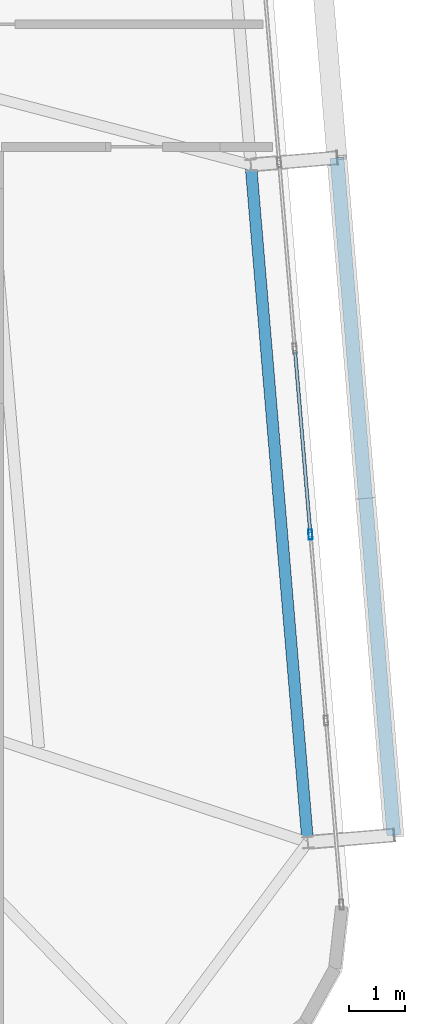
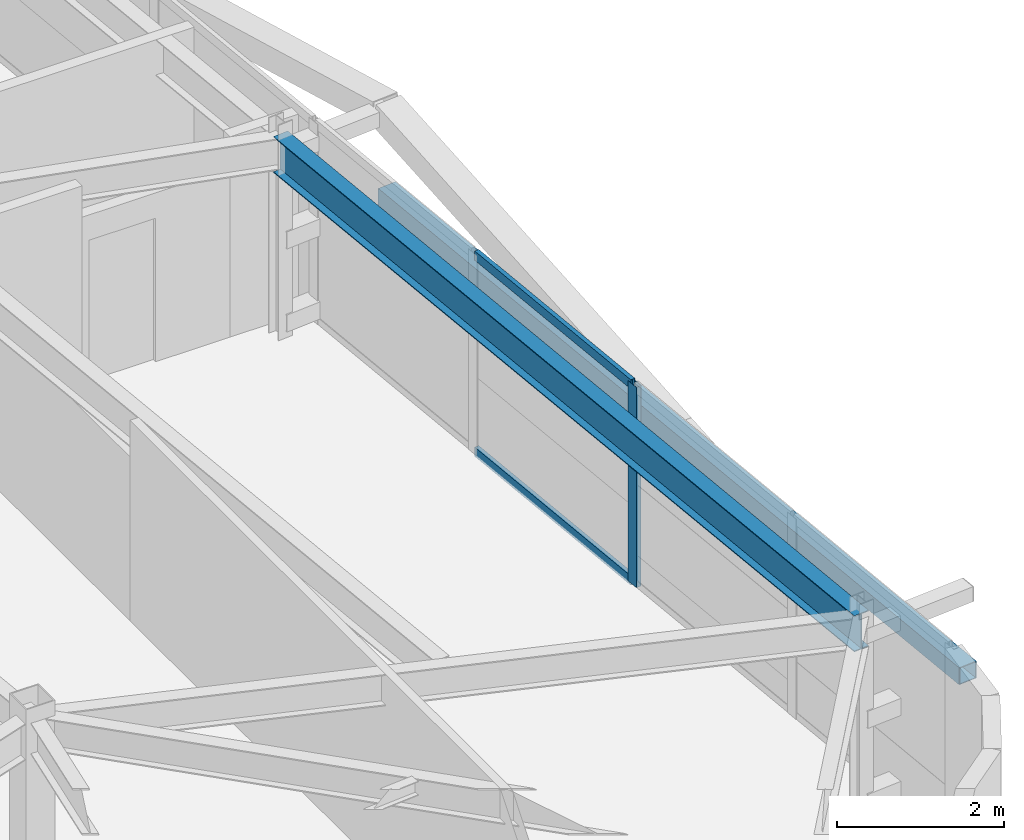
# One storey, part 23 of 46: 4 members, 1 beam, 1 element without a shape of its own.
"""IFC4 building model written with IfcOpenShell, lengths in metres."""

import ifcopenshell
import ifcopenshell.guid

model = None  # the IFC model being written
_history = None  # IfcOwnerHistory: only IFC2X3 demands one
_inside = {}  # id of a spatial element -> (the spatial element, [elements in it])
_under = {}  # id of a project, library or spatial element -> (it, [spatial elements below it])
_declared = {}  # id of a project -> (the project, [libraries it declares])
_typed = {}  # id of a type object -> (the type object, [elements of that type])
_made_of = {}  # id of a material, layer set ... -> (it, [elements and type objects made of it])


def new_model(schema):
    """Start an empty IFC model of exactly this schema.

    Asked for "IFC4X3", IfcOpenShell would pick the latest addendum, in which some entities
    have other attributes; the version numbers below select the first issue.
    IFC2X3 requires an IfcOwnerHistory on every rooted entity: one is made here for all.
    """
    global model, _history
    if schema == "IFC4X3":
        model = ifcopenshell.file(schema_version=(4, 3, 0, 0))
    else:
        model = ifcopenshell.file(schema=schema)
    _inside.clear()
    _under.clear()
    _declared.clear()
    _typed.clear()
    _made_of.clear()
    _history = None
    if model.schema == "IFC2X3":
        org = make("IfcOrganization", Name="unknown")
        user = make(
            "IfcPersonAndOrganization",
            ThePerson=make("IfcPerson", FamilyName="unknown"),
            TheOrganization=org,
        )
        app = make(
            "IfcApplication",
            ApplicationDeveloper=org,
            Version="unknown",
            ApplicationFullName="unknown",
            ApplicationIdentifier="unknown",
        )
        _history = make(
            "IfcOwnerHistory",
            OwningUser=user,
            OwningApplication=app,
            ChangeAction="ADDED",
            CreationDate=0,
        )
    return model


def make(cls, **values):
    """One entity of the class cls with the attributes given. An attribute that is None is left unset."""
    return model.create_entity(
        cls, **{name: value for name, value in values.items() if value is not None}
    )


def rooted(cls, **values):
    """An entity with a GlobalId (a new one), such as an element, a storey or a relation."""
    return make(cls, GlobalId=ifcopenshell.guid.new(), OwnerHistory=_history, **values)


def si_unit(unit_type, name, prefix=None):
    """IfcSIUnit, for example si_unit("LENGTHUNIT", "METRE", prefix="MILLI")."""
    return make("IfcSIUnit", UnitType=unit_type, Prefix=prefix, Name=name)


def assignment(units):
    """IfcUnitAssignment: the units of a project."""
    return None if units is None else make("IfcUnitAssignment", Units=units)


def point(xyz):
    """IfcCartesianPoint."""
    return None if xyz is None else make("IfcCartesianPoint", Coordinates=xyz)


def direction(xyz):
    """IfcDirection."""
    return None if xyz is None else make("IfcDirection", DirectionRatios=xyz)


def frame(location, z_axis=None, x_axis=None):
    """IfcAxis2Placement3D, a coordinate frame: its origin and axes. An axis left out is left unset."""
    return make(
        "IfcAxis2Placement3D",
        Location=point(location),
        Axis=direction(z_axis),
        RefDirection=direction(x_axis),
    )


def frame_2d(location, x_axis=None):
    """IfcAxis2Placement2D, a coordinate frame in the plane: its origin and x axis."""
    return make(
        "IfcAxis2Placement2D", Location=point(location), RefDirection=direction(x_axis)
    )


def origin():
    """The frame at (0, 0, 0) with its axes left unset."""
    return frame((0.0, 0.0, 0.0))


def origin_2d():
    """The frame at (0, 0) in the plane with its x axis left unset."""
    return frame_2d((0.0, 0.0))


def place(relative_to, where):
    """IfcLocalPlacement: puts the frame where relative to a parent placement (None: the world)."""
    return make(
        "IfcLocalPlacement", PlacementRelTo=relative_to, RelativePlacement=where
    )


def context(
    kind, dimensions, precision=None, world=None, true_north=None, identifier=None
):
    """IfcGeometricRepresentationContext, for example the 3D "Model" context."""
    return make(
        "IfcGeometricRepresentationContext",
        ContextIdentifier=identifier,
        ContextType=kind,
        CoordinateSpaceDimension=dimensions,
        Precision=precision,
        WorldCoordinateSystem=world,
        TrueNorth=true_north,
    )


def subcontext(parent, identifier, kind, view, scale=None):
    """IfcGeometricRepresentationSubContext, for example "Body" below "Model"."""
    return make(
        "IfcGeometricRepresentationSubContext",
        ContextIdentifier=identifier,
        ContextType=kind,
        ParentContext=parent,
        TargetScale=scale,
        TargetView=view,
    )


def project(units=None, contexts=None):
    """IfcProject with its units and contexts."""
    return rooted(
        "IfcProject",
        Name="project",
        RepresentationContexts=contexts,
        UnitsInContext=assignment(units),
    )


def spatial(cls, under=None, at=None, **own):
    """A site, building, storey or space (cls), placed at a placement, below another one or the project."""
    s = rooted(cls, ObjectPlacement=at, **own)
    if under is not None:
        _under.setdefault(under.id(), (under, []))[1].append(s)
    return s


def profile(cls, at=None, kind="AREA", **sizes):
    """A parametric profile (cls). Its sizes go by their IFC names, for example OverallWidth=200.0."""
    return make(cls, ProfileType=kind, Position=at, **sizes)


def hollow_rectangle(**sizes):
    """IfcRectangleHollowProfileDef."""
    return profile("IfcRectangleHollowProfileDef", **sizes)


def i_section(**sizes):
    """IfcIShapeProfileDef."""
    return profile("IfcIShapeProfileDef", **sizes)


def extrude(swept, where, along, depth):
    """IfcExtrudedAreaSolid: the profile swept, set in the frame where, extruded along a direction by depth."""
    return make(
        "IfcExtrudedAreaSolid",
        SweptArea=swept,
        Position=where,
        ExtrudedDirection=direction(along),
        Depth=depth,
    )


def shape(context_of_items, identifier, shape_type, items):
    """IfcShapeRepresentation: the items that make up one representation, for example the "Body"."""
    return make(
        "IfcShapeRepresentation",
        ContextOfItems=context_of_items,
        RepresentationIdentifier=identifier,
        RepresentationType=shape_type,
        Items=items,
    )


def source(mapping_origin, context_of_items, identifier, shape_type, items):
    """IfcRepresentationMap: a shape defined once, which mapped items show again and again."""
    return make(
        "IfcRepresentationMap",
        MappingOrigin=mapping_origin,
        MappedRepresentation=shape(context_of_items, identifier, shape_type, items),
    )


def transform(
    local_origin,
    x_axis=None,
    y_axis=None,
    z_axis=None,
    scale=None,
    scale2=None,
    scale3=None,
    uniform=True,
):
    """IfcCartesianTransformationOperator3D, or its non-uniform kind. x_axis, y_axis, z_axis: its Axis1, 2, 3."""
    if uniform:
        return make(
            "IfcCartesianTransformationOperator3D",
            Axis1=direction(x_axis),
            Axis2=direction(y_axis),
            LocalOrigin=point(local_origin),
            Scale=scale,
            Axis3=direction(z_axis),
        )
    return make(
        "IfcCartesianTransformationOperator3DnonUniform",
        Axis1=direction(x_axis),
        Axis2=direction(y_axis),
        LocalOrigin=point(local_origin),
        Scale=scale,
        Axis3=direction(z_axis),
        Scale2=scale2,
        Scale3=scale3,
    )


def mapped(mapping_source, mapping_target):
    """IfcMappedItem: shows the shape of a source again, moved by a transform."""
    return make(
        "IfcMappedItem", MappingSource=mapping_source, MappingTarget=mapping_target
    )


def material(Name=None, Category=None):
    """IfcMaterial."""
    return make("IfcMaterial", Name=Name, Category=Category)


def layer(
    of_material, thickness, ventilated=None, Name=None, Category=None, Priority=None
):
    """IfcMaterialLayer: one layer of a wall or slab, of a material (None: an air gap)."""
    return make(
        "IfcMaterialLayer",
        Material=of_material,
        LayerThickness=thickness,
        IsVentilated=ventilated,
        Name=Name,
        Category=Category,
        Priority=Priority,
    )


def layer_set(layers, Name=None):
    """IfcMaterialLayerSet."""
    return make("IfcMaterialLayerSet", MaterialLayers=layers, LayerSetName=Name)


def material_profile(
    of_material, cross_section, Name=None, Category=None, Priority=None
):
    """IfcMaterialProfile: a cross section and its material."""
    return make(
        "IfcMaterialProfile",
        Name=Name,
        Material=of_material,
        Profile=cross_section,
        Priority=Priority,
        Category=Category,
    )


def profile_set(profiles, Name=None, composite=None):
    """IfcMaterialProfileSet."""
    return make(
        "IfcMaterialProfileSet",
        Name=Name,
        MaterialProfiles=profiles,
        CompositeProfile=composite,
    )


def made_of(thing, what):
    """Note that an element or type object is made of a material, layer set ...; save() writes the relation."""
    if what is not None:
        _made_of.setdefault(what.id(), (what, []))[1].append(thing)
    return thing


def type_object(cls, material=None, **own):
    """A type object (cls), such as IfcWallType, which elements share."""
    return made_of(rooted(cls, **own), material)


def element(
    cls,
    number,
    at=None,
    inside=None,
    cuts=None,
    type_object=None,
    material=None,
    context=None,
    identifier="Body",
    shape_type=None,
    held_by="IfcProductDefinitionShape",
    body=None,
    shapes=None,
    **own,
):
    """One element of the class cls, such as IfcWall. Its Tag is "e" and its number.

    at: its placement. inside: the storey or other place that contains it. cuts: it is an
    opening in that element (IfcRelVoidsElement). A single representation is given by context,
    identifier, shape_type and body (its items); several are given by shapes. held_by: the class
    of the entity that holds the representations. save() writes the other relations.
    """
    e = rooted(cls, Tag="e%d" % number, ObjectPlacement=at, **own)
    if body is not None:
        shapes = [shape(context, identifier, shape_type, body)]
    if shapes is not None:
        e.Representation = make(held_by, Representations=shapes)
    if inside is not None:
        _inside.setdefault(inside.id(), (inside, []))[1].append(e)
    if cuts is not None:
        rooted(
            "IfcRelVoidsElement", RelatingBuildingElement=cuts, RelatedOpeningElement=e
        )
    if type_object is not None:
        _typed.setdefault(type_object.id(), (type_object, []))[1].append(e)
    return made_of(e, material)


def aggregate(whole, parts):
    """IfcRelAggregates: a whole, such as a stair, and the parts it consists of."""
    return rooted("IfcRelAggregates", RelatingObject=whole, RelatedObjects=parts)


def save(model, path):
    """Write the relations noted so far, then the file.

    IfcRelAggregates (storeys below a building ...), IfcRelContainedInSpatialStructure (elements
    in a storey), IfcRelDefinesByType, IfcRelAssociatesMaterial and IfcRelDeclares: one each for
    every whole, place, type object, material and project.
    """
    for whole, parts in _under.values():
        aggregate(whole, parts)
    for where, things in _inside.values():
        rooted(
            "IfcRelContainedInSpatialStructure",
            RelatedElements=things,
            RelatingStructure=where,
        )
    for kind, things in _typed.values():
        rooted("IfcRelDefinesByType", RelatedObjects=things, RelatingType=kind)
    for what, things in _made_of.values():
        rooted("IfcRelAssociatesMaterial", RelatedObjects=things, RelatingMaterial=what)
    for by, libraries in _declared.values():
        rooted("IfcRelDeclares", RelatingContext=by, RelatedDefinitions=libraries)
    model.write(path)


model = new_model("IFC4")

# Units and contexts
model_context = context("Model", 3, precision=1e-05, world=origin(), true_north=direction((0.0, 1.0)))
body_context = subcontext(model_context, "Body", "Model", "MODEL_VIEW")
ifc_project = project(units=[si_unit("LENGTHUNIT", "METRE"), si_unit("AREAUNIT", "SQUARE_METRE"), si_unit("VOLUMEUNIT", "CUBIC_METRE"), si_unit("PLANEANGLEUNIT", "RADIAN"), si_unit("MASSUNIT", "GRAM", prefix="KILO")], contexts=[model_context])

# Site, building, storey
site_placement = place(None, origin())
site = spatial("IfcSite", under=ifc_project, at=site_placement, CompositionType="ELEMENT")
building_placement = place(site_placement, origin())
building = spatial("IfcBuilding", under=site, at=building_placement, Name="Taldren Reach Tower", CompositionType="ELEMENT")
storey_placement = place(building_placement, frame((0.0, 0.0, 185.14990234375)))
storey = spatial("IfcBuildingStorey", under=building, at=storey_placement, Name="L56", CompositionType="ELEMENT", Elevation=185.14990234375)

# Beam
ifc_material_1 = material(Name="Steel Gr 350 (350PLUS)", Category="steel")
ifc_material_profile_1 = material_profile(ifc_material_1, i_section(OverallWidth=0.208984375, OverallDepth=0.528076171875, WebThickness=0.009521484375, FlangeThickness=0.01318359375, at=origin_2d()), Name="530UB82.0")
ifc_profile_set_1 = profile_set([ifc_material_profile_1], Name="Steel Gr 350 (350PLUS)")
beam_type = type_object("IfcBeamType", Name="SP-UB530B", PredefinedType="SPANDREL", material=ifc_profile_set_1)
shared_shape_1 = source(origin(), body_context, "Body", "SweptSolid", [
    extrude(i_section(OverallWidth=0.208984375, OverallDepth=0.528076171875, WebThickness=0.009521484375, FlangeThickness=0.01318359375, at=origin_2d()), origin(), (0.0, 0.0, 1.0), 12.199951171875),
])
beam_placement = place(storey_placement, frame((61.63818359375, 9.317626953125, 2.666015625), z_axis=(-0.083688038336, 0.996492003099, 0.0), x_axis=(-0.996492003099, -0.083688038336, 0.0)))
element("IfcBeam", 1, at=beam_placement, inside=storey, type_object=beam_type, Name="Perimeter spandrel B4 E1-E2 L56", PredefinedType="SPANDREL", context=body_context, shape_type="MappedRepresentation", body=[
    mapped(shared_shape_1, transform((0.0, 0.0, 0.0), scale=1.0)),
])

# Member
ifc_material_2 = material(Name="Steel Gr 350 (C350L0)", Category="steel")
ifc_material_profile_2 = material_profile(ifc_material_2, hollow_rectangle(XDim=0.25, YDim=0.25, WallThickness=0.010009765625, at=origin_2d()), Name="250x250x10.0SHS")
ifc_profile_set_2 = profile_set([ifc_material_profile_2], Name="Steel Gr 350 (C350L0)")
member_type_1 = type_object("IfcMemberType", Name="MB-POST250", PredefinedType="POST", material=ifc_profile_set_2)
shared_shape_2 = source(origin(), body_context, "Body", "SweptSolid", [
    extrude(hollow_rectangle(XDim=0.25, YDim=0.25, WallThickness=0.010009765625, at=origin_2d()), origin(), (0.0, 0.0, 1.0), 12.199951171875),
])
member_1_placement = place(storey_placement, frame((63.1826171875, 9.447265625, 1.43505859375), z_axis=(-0.083668166953, 0.99649367175, 0.0), x_axis=(-0.99649367175, -0.083668166953, 0.0)))
element("IfcMember", 2, at=member_1_placement, inside=storey, type_object=member_type_1, Name="Exoskeleton mid-height ring chord B4-E1 L56", PredefinedType="POST", context=body_context, shape_type="MappedRepresentation", body=[
    mapped(shared_shape_2, transform((0.0, 0.0, 0.0), scale=1.0)),
])

# Curtain wall, members
ifc_material_3 = material(Name="Aluminium and Low-E Glass Unitised System", Category="aluminium")
ifc_layer = layer(ifc_material_3, 0.159912109375)
ifc_layer_set = layer_set([ifc_layer], Name="Aluminium and Low-E Glass Unitised System")
curtain_wall_type = type_object("IfcCurtainWallType", Name="CW-SYS-5", PredefinedType="NOTDEFINED", material=ifc_layer_set)
curtain_wall_placement = place(storey_placement, origin())
curtain_wall = element("IfcCurtainWall", 3, at=curtain_wall_placement, inside=storey, type_object=curtain_wall_type, Name="Unitised curtain wall CW-L56-E", PredefinedType="NOTDEFINED")
ifc_material_4 = material(Name="Anodised Aluminium 6063-T6", Category="aluminium")
ifc_material_profile_3 = material_profile(ifc_material_4, hollow_rectangle(XDim=0.070068359375, YDim=0.179931640625, WallThickness=0.00390625, at=origin_2d()), Name="ALU-180x70x4RHS")
ifc_profile_set_3 = profile_set([ifc_material_profile_3], Name="Anodised Aluminium 6063-T6")
member_type_2 = type_object("IfcMemberType", Name="CW-MUL-180", PredefinedType="MULLION", material=ifc_profile_set_3)
shared_shape_3 = source(origin(), body_context, "Body", "SweptSolid", [
    extrude(hollow_rectangle(XDim=0.070068359375, YDim=0.179931640625, WallThickness=0.00390625, at=origin_2d()), origin(), (0.0, 0.0, 1.0), 2.93017578125),
])
member_2_placement = place(storey_placement, frame((61.68603515625, 14.841064453125, 0.0), z_axis=(0.0, 0.0, 1.0), x_axis=(-0.996492847789, -0.083677979808, 0.0)))
member_2 = element("IfcMember", 4, at=member_2_placement, type_object=member_type_2, Name="CW-5 mullion 3", PredefinedType="MULLION", context=body_context, shape_type="MappedRepresentation", body=[
    mapped(shared_shape_3, transform((0.0, 0.0, 0.0), scale=1.0)),
])
ifc_material_profile_4 = material_profile(ifc_material_4, hollow_rectangle(XDim=0.06005859375, YDim=0.135009765625, WallThickness=0.00341796875, at=origin_2d()), Name="ALU-135x60x3.5RHS")
ifc_profile_set_4 = profile_set([ifc_material_profile_4], Name="Anodised Aluminium 6063-T6")
member_type_3 = type_object("IfcMemberType", Name="CW-TRN-150", PredefinedType="USERDEFINED", material=ifc_profile_set_4)
shared_shape_4 = source(origin(), body_context, "Body", "SweptSolid", [
    extrude(hollow_rectangle(XDim=0.06005859375, YDim=0.135009765625, WallThickness=0.00341796875, at=origin_2d()), origin(), (0.0, 0.0, 1.0), 3.280029296875),
])
member_3_placement = place(storey_placement, frame((61.68310546875, 14.875732421875, 0.030029296875), z_axis=(-0.083661452101, 0.996494235524, 0.0), x_axis=(-0.996494235524, -0.083661452101, 0.0)))
member_3 = element("IfcMember", 5, at=member_3_placement, type_object=member_type_3, Name="CW-5 transom 3.1", ObjectType="TRANSOM", PredefinedType="USERDEFINED", context=body_context, shape_type="MappedRepresentation", body=[
    mapped(shared_shape_4, transform((0.0, 0.0, 0.0), scale=1.0)),
])
member_4_placement = place(storey_placement, frame((61.68310546875, 14.875732421875, 2.900146484375), z_axis=(-0.083661452101, 0.996494235524, 0.0), x_axis=(-0.996494235524, -0.083661452101, 0.0)))
member_4 = element("IfcMember", 6, at=member_4_placement, type_object=member_type_3, Name="CW-5 transom 3.2", ObjectType="TRANSOM", PredefinedType="USERDEFINED", context=body_context, shape_type="MappedRepresentation", body=[
    mapped(shared_shape_4, transform((0.0, 0.0, 0.0), scale=1.0)),
])
aggregate(curtain_wall, [member_2, member_3, member_4])

save(model, "model.ifc")
